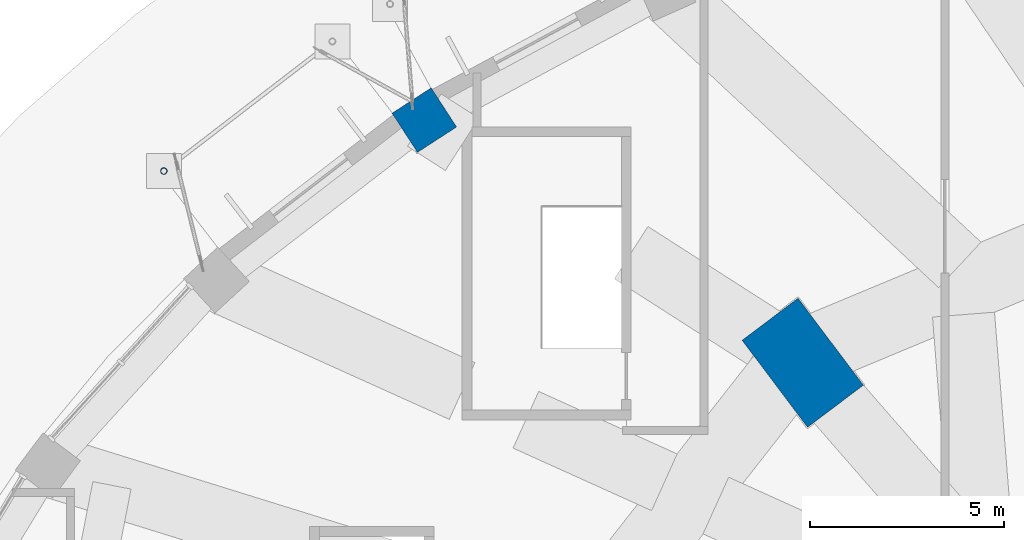
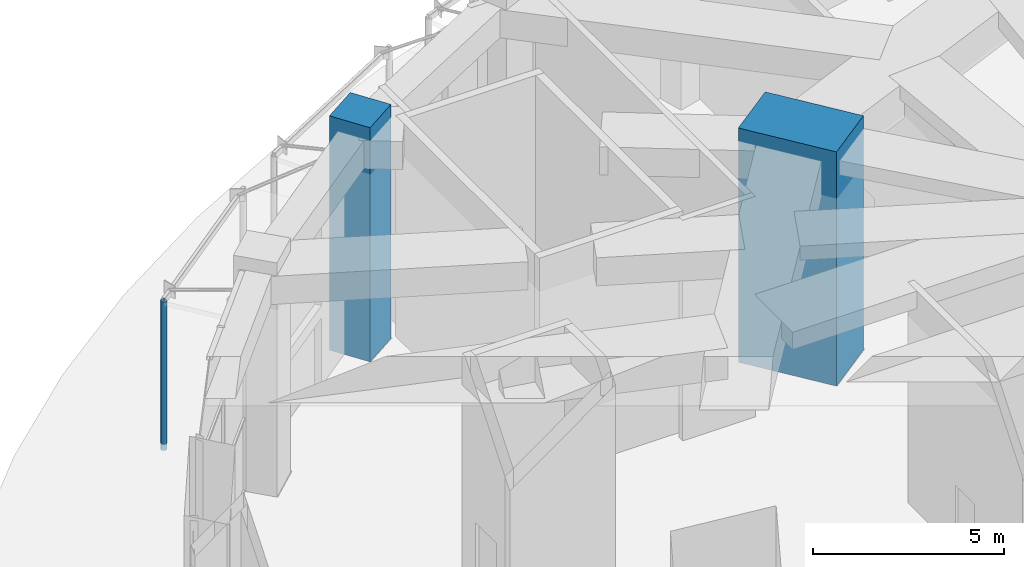
# One storey, part 9 of 60: 3 columns.
"""IFC4 building model written with IfcOpenShell, lengths in metres."""

from ifc_helpers import new_model, si_unit, direction, frame, origin, origin_2d, place, context, subcontext, project, spatial, rectangle, hollow_circle, extrude, material, material_profile, profile_set, type_object, element, save


model = new_model("IFC4")

# Units and contexts
model_context = context("Model", 3, precision=1e-05, world=origin(), true_north=direction((0.0, 1.0)))
body_context = subcontext(model_context, "Body", "Model", "MODEL_VIEW")
ifc_project = project(units=[si_unit("LENGTHUNIT", "METRE"), si_unit("AREAUNIT", "SQUARE_METRE"), si_unit("VOLUMEUNIT", "CUBIC_METRE"), si_unit("PLANEANGLEUNIT", "RADIAN"), si_unit("MASSUNIT", "GRAM", prefix="KILO")], contexts=[model_context])

# Site, building, storey
site_placement = place(None, origin())
site = spatial("IfcSite", under=ifc_project, at=site_placement, CompositionType="ELEMENT")
building_placement = place(site_placement, origin())
building = spatial("IfcBuilding", under=site, at=building_placement, Name="Taillehof Tower", CompositionType="ELEMENT")
storey_placement = place(building_placement, origin())
storey = spatial("IfcBuildingStorey", under=building, at=storey_placement, Name="L00", CompositionType="ELEMENT", Elevation=0.0)

# Columns
ifc_material_1 = material(Name="Steel S460M", Category="steel")
ifc_material_profile_1 = material_profile(ifc_material_1, hollow_circle(Radius=0.084228515625, WallThickness=0.008056640625, at=origin_2d()), Name="CHS 168.3x8")
ifc_profile_set_1 = profile_set([ifc_material_profile_1], Name="Steel S460M")
column_type_1 = type_object("IfcColumnType", Name="Canopy post CHS 168.3x8", PredefinedType="COLUMN", material=ifc_profile_set_1)
column_1_placement = place(storey_placement, frame((-34.600830078125, 24.273681640625, -0.199951171875), z_axis=(0.0, 0.0, 1.0), x_axis=(1.0, 0.0, 0.0)))
element("IfcColumn", 1, at=column_1_placement, inside=storey, type_object=column_type_1, Name="Canopy post E2", PredefinedType="COLUMN", context=body_context, shape_type="SweptSolid", body=[
    extrude(hollow_circle(Radius=0.084228515625, WallThickness=0.008056640625, at=origin_2d()), origin(), (0.0, 0.0, 1.0), 4.7548828125),
])
ifc_material_2 = material(Name="Concrete C80/95", Category="concrete")
ifc_material_profile_2 = material_profile(ifc_material_2, rectangle(XDim=2.800048828125, YDim=1.800048828125, at=origin_2d()), Name="RC 2800x1800")
ifc_profile_set_2 = profile_set([ifc_material_profile_2], Name="Concrete C80/95")
column_type_2 = type_object("IfcColumnType", Name="Mega column C80/95 2800x1800", PredefinedType="COLUMN", material=ifc_profile_set_2)
column_2_placement = place(storey_placement, frame((-18.15869140625, 19.342529296875, 0.0), z_axis=(0.0, 0.0, 1.0), x_axis=(-0.601173783055, 0.79911831575, 0.0)))
element("IfcColumn", 2, at=column_2_placement, inside=storey, type_object=column_type_2, Name="Mega column MG05", PredefinedType="COLUMN", context=body_context, shape_type="SweptSolid", body=[
    extrude(rectangle(XDim=2.800048828125, YDim=1.800048828125, at=origin_2d()), origin(), (0.0, 0.0, 1.0), 7.5),
])
ifc_material_3 = material(Name="Concrete C60/75", Category="concrete")
ifc_material_profile_3 = material_profile(ifc_material_3, rectangle(XDim=1.199951171875, YDim=1.199951171875, at=origin_2d()), Name="RC 1200x1200")
ifc_profile_set_3 = profile_set([ifc_material_profile_3], Name="Concrete C60/75")
column_type_3 = type_object("IfcColumnType", Name="Podium column C60/75 1200x1200", PredefinedType="COLUMN", material=ifc_profile_set_3)
column_3_placement = place(storey_placement, frame((-27.89697265625, 25.5859375, 0.0), z_axis=(0.0, 0.0, 1.0), x_axis=(-0.544041391531, 0.839058379554, 0.0)))
element("IfcColumn", 3, at=column_3_placement, inside=storey, type_object=column_type_3, Name="Podium column PC14", PredefinedType="COLUMN", context=body_context, shape_type="SweptSolid", body=[
    extrude(rectangle(XDim=1.199951171875, YDim=1.199951171875, at=origin_2d()), origin(), (0.0, 0.0, 1.0), 7.5),
])

save(model, "model.ifc")
